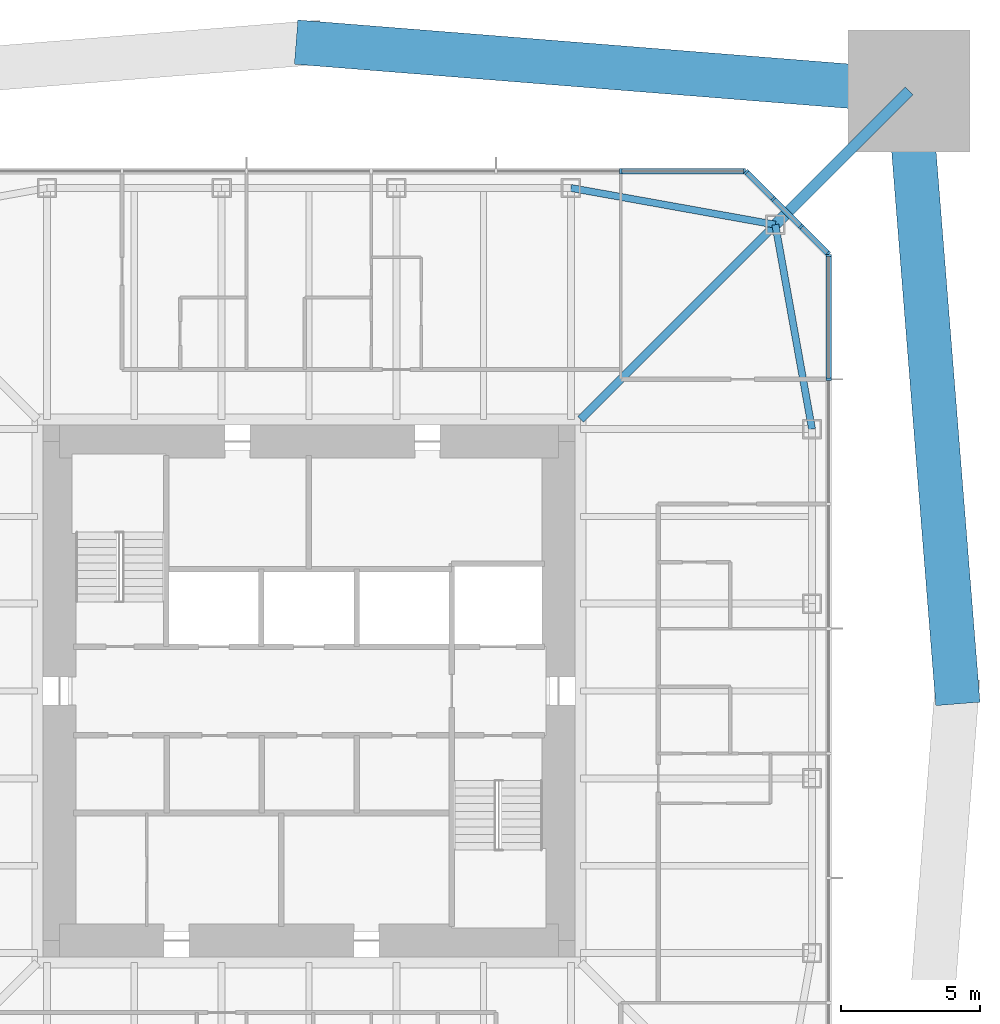
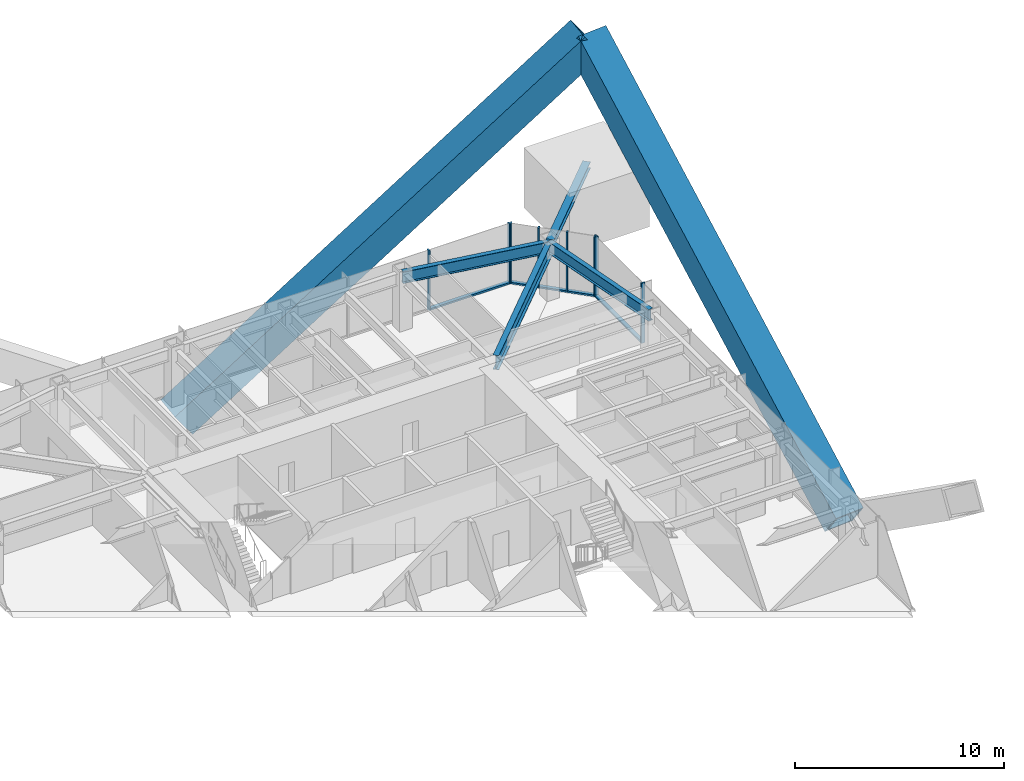
# One storey, part 6 of 13: 16 members, 3 beams, 3 elements without a shape of their own.
"""IFC4 building model written with IfcOpenShell, lengths in metres."""

from ifc_helpers import new_model, si_unit, direction, frame, origin, origin_2d, place, context, subcontext, project, spatial, rectangle, hollow_rectangle, i_section, extrude, material, material_profile, profile_set, type_object, element, aggregate, save


model = new_model("IFC4")

# Units and contexts
model_context = context("Model", 3, precision=1e-05, world=origin(), true_north=direction((0.0, 1.0)))
body_context = subcontext(model_context, "Body", "Model", "MODEL_VIEW")
ifc_project = project(units=[si_unit("LENGTHUNIT", "METRE"), si_unit("AREAUNIT", "SQUARE_METRE"), si_unit("VOLUMEUNIT", "CUBIC_METRE"), si_unit("PLANEANGLEUNIT", "RADIAN"), si_unit("MASSUNIT", "GRAM", prefix="KILO")], contexts=[model_context])

# Site, building, storey
site_placement = place(None, origin())
site = spatial("IfcSite", under=ifc_project, at=site_placement, CompositionType="ELEMENT")
building_placement = place(site_placement, origin())
building = spatial("IfcBuilding", under=site, at=building_placement, Name="Iwan Alto Co-Living Towers", CompositionType="ELEMENT")
storey_placement = place(building_placement, frame((0.0, 0.0, 167.0)))
storey = spatial("IfcBuildingStorey", under=building, at=storey_placement, Name="L45", CompositionType="ELEMENT", Elevation=167.0)

# Curtain wall, members
ifc_material_1 = material(Name="Bronze aluminium unitised frame", Category="aluminium")
curtain_wall_type_1 = type_object("IfcCurtainWallType", Name="CURTAIN WALL CW-A", PredefinedType="NOTDEFINED", material=ifc_material_1)
curtain_wall_1_placement = place(storey_placement, origin())
curtain_wall_1 = element("IfcCurtainWall", 1, at=curtain_wall_1_placement, inside=storey, type_object=curtain_wall_type_1, Name="T1 curtain wall E L45", PredefinedType="NOTDEFINED")
ifc_material_2 = material(Name="Aluminium 6063-T6 bronze anodised", Category="aluminium")
ifc_material_profile_1 = material_profile(ifc_material_2, rectangle(XDim=0.199951171875, YDim=0.080078125, at=origin_2d()), Name="AL 80X200")
ifc_profile_set_1 = profile_set([ifc_material_profile_1], Name="Aluminium 6063-T6 bronze anodised")
member_type_1 = type_object("IfcMemberType", Name="CW-A MULLION 80X200", PredefinedType="MULLION", material=ifc_profile_set_1)
member_1_placement = place(storey_placement, frame((18.75, 11.25, 0.0), z_axis=(0.0, 0.0, 1.0), x_axis=(-1.0, 0.0, 0.0)))
member_1 = element("IfcMember", 2, at=member_1_placement, type_object=member_type_1, Name="CW-A mullion 7", PredefinedType="MULLION", context=body_context, shape_type="SweptSolid", body=[
    extrude(rectangle(XDim=0.199951171875, YDim=0.080078125, at=origin_2d()), origin(), (0.0, 0.0, 1.0), 3.5),
])
member_2_placement = place(storey_placement, frame((18.75, 15.7099609375, 0.0), z_axis=(0.0, 0.0, 1.0), x_axis=(-1.0, 0.0, 0.0)))
member_2 = element("IfcMember", 3, at=member_2_placement, type_object=member_type_1, Name="CW-A mullion 8", PredefinedType="MULLION", context=body_context, shape_type="SweptSolid", body=[
    extrude(rectangle(XDim=0.199951171875, YDim=0.080078125, at=origin_2d()), origin(), (0.0, 0.0, 1.0), 3.5),
])

curtain_wall_2_placement = place(storey_placement, origin())
curtain_wall_2 = element("IfcCurtainWall", 4, at=curtain_wall_2_placement, inside=storey, type_object=curtain_wall_type_1, Name="T1 curtain wall N L45", PredefinedType="NOTDEFINED")
member_3_placement = place(storey_placement, frame((15.7099609375, 18.75, 0.0), z_axis=(0.0, 0.0, 1.0), x_axis=(0.0, -1.0, 0.0)))
member_3 = element("IfcMember", 5, at=member_3_placement, type_object=member_type_1, Name="CW-A mullion 1", PredefinedType="MULLION", context=body_context, shape_type="SweptSolid", body=[
    extrude(rectangle(XDim=0.199951171875, YDim=0.080078125, at=origin_2d()), origin(), (0.0, 0.0, 1.0), 3.5),
])
member_4_placement = place(storey_placement, frame((11.25, 18.75, 0.0), z_axis=(0.0, 0.0, 1.0), x_axis=(0.0, -1.0, 0.0)))
member_4 = element("IfcMember", 6, at=member_4_placement, type_object=member_type_1, Name="CW-A mullion 2", PredefinedType="MULLION", context=body_context, shape_type="SweptSolid", body=[
    extrude(rectangle(XDim=0.199951171875, YDim=0.080078125, at=origin_2d()), origin(), (0.0, 0.0, 1.0), 3.5),
])

# Member
ifc_material_3 = material(Name="Aluminium 6063-T6 bronze anodised", Category="aluminium")
ifc_material_profile_2 = material_profile(ifc_material_3, rectangle(XDim=0.199951171875, YDim=0.10009765625, at=origin_2d()), Name="AL 200X100")
ifc_profile_set_2 = profile_set([ifc_material_profile_2], Name="Aluminium 6063-T6 bronze anodised")
member_type_2 = type_object("IfcMemberType", Name="CW-A TRANSOM 200X100", PredefinedType="USERDEFINED", material=ifc_profile_set_2)
member_5_placement = place(storey_placement, frame((18.75, 11.2900390625, 0.050048828125), z_axis=(0.0, 1.0, 0.0), x_axis=(-1.0, 0.0, 0.0)))
member_5 = element("IfcMember", 7, at=member_5_placement, type_object=member_type_2, Name="CW-A transom 7.1", ObjectType="TRANSOM", PredefinedType="USERDEFINED", context=body_context, shape_type="SweptSolid", body=[
    extrude(rectangle(XDim=0.199951171875, YDim=0.10009765625, at=origin_2d()), origin(), (0.0, 0.0, 1.0), 4.3798828125),
])

aggregate(curtain_wall_1, [member_1, member_2, member_5])

member_6_placement = place(storey_placement, frame((15.669921875, 18.75, 0.050048828125), z_axis=(-1.0, 0.0, 0.0), x_axis=(0.0, -1.0, 0.0)))
member_6 = element("IfcMember", 8, at=member_6_placement, type_object=member_type_2, Name="CW-A transom 1.1", ObjectType="TRANSOM", PredefinedType="USERDEFINED", context=body_context, shape_type="SweptSolid", body=[
    extrude(rectangle(XDim=0.199951171875, YDim=0.10009765625, at=origin_2d()), origin(), (0.0, 0.0, 1.0), 4.3798828125),
])

aggregate(curtain_wall_2, [member_3, member_4, member_6])

# Curtain wall, members
ifc_material_4 = material(Name="Bronze aluminium unitised frame", Category="aluminium")
curtain_wall_type_2 = type_object("IfcCurtainWallType", Name="CURTAIN WALL CW-B", PredefinedType="NOTDEFINED", material=ifc_material_4)
curtain_wall_3_placement = place(storey_placement, origin())
curtain_wall_3 = element("IfcCurtainWall", 9, at=curtain_wall_3_placement, inside=storey, type_object=curtain_wall_type_2, Name="T1 chamfer curtain wall NE L45", PredefinedType="NOTDEFINED")
ifc_material_5 = material(Name="Aluminium 6063-T6 bronze anodised", Category="aluminium")
ifc_material_profile_3 = material_profile(ifc_material_5, rectangle(XDim=0.199951171875, YDim=0.080078125, at=origin_2d()), Name="AL 80X200")
ifc_profile_set_3 = profile_set([ifc_material_profile_3], Name="Aluminium 6063-T6 bronze anodised")
member_type_3 = type_object("IfcMemberType", Name="CW-B MULLION 80X200", PredefinedType="MULLION", material=ifc_profile_set_3)
member_7_placement = place(storey_placement, frame((18.7216796875, 15.7783203125, 0.0), z_axis=(0.0, 0.0, 1.0), x_axis=(-0.707106781187, -0.707106781187, 0.0)))
member_7 = element("IfcMember", 10, at=member_7_placement, type_object=member_type_3, Name="CW-B mullion 1", PredefinedType="MULLION", context=body_context, shape_type="SweptSolid", body=[
    extrude(rectangle(XDim=0.199951171875, YDim=0.080078125, at=origin_2d()), origin(), (0.0, 0.0, 1.0), 3.5),
])
member_8_placement = place(storey_placement, frame((17.75, 16.75, 0.0), z_axis=(0.0, 0.0, 1.0), x_axis=(-0.707106781187, -0.707106781187, 0.0)))
member_8 = element("IfcMember", 11, at=member_8_placement, type_object=member_type_3, Name="CW-B mullion 2", PredefinedType="MULLION", context=body_context, shape_type="SweptSolid", body=[
    extrude(rectangle(XDim=0.199951171875, YDim=0.080078125, at=origin_2d()), origin(), (0.0, 0.0, 1.0), 3.5),
])
member_9_placement = place(storey_placement, frame((16.75, 17.75, 0.0), z_axis=(0.0, 0.0, 1.0), x_axis=(-0.707106781187, -0.707106781187, 0.0)))
member_9 = element("IfcMember", 12, at=member_9_placement, type_object=member_type_3, Name="CW-B mullion 3", PredefinedType="MULLION", context=body_context, shape_type="SweptSolid", body=[
    extrude(rectangle(XDim=0.199951171875, YDim=0.080078125, at=origin_2d()), origin(), (0.0, 0.0, 1.0), 3.5),
])
member_10_placement = place(storey_placement, frame((15.7783203125, 18.7216796875, 0.0), z_axis=(0.0, 0.0, 1.0), x_axis=(-0.707106781187, -0.707106781187, 0.0)))
member_10 = element("IfcMember", 13, at=member_10_placement, type_object=member_type_3, Name="CW-B mullion 4", PredefinedType="MULLION", context=body_context, shape_type="SweptSolid", body=[
    extrude(rectangle(XDim=0.199951171875, YDim=0.080078125, at=origin_2d()), origin(), (0.0, 0.0, 1.0), 3.5),
])
ifc_material_6 = material(Name="Aluminium 6063-T6 bronze anodised", Category="aluminium")
ifc_material_profile_4 = material_profile(ifc_material_6, rectangle(XDim=0.199951171875, YDim=0.10009765625, at=origin_2d()), Name="AL 200X100")
ifc_profile_set_4 = profile_set([ifc_material_profile_4], Name="Aluminium 6063-T6 bronze anodised")
member_type_4 = type_object("IfcMemberType", Name="CW-B TRANSOM 200X100", PredefinedType="USERDEFINED", material=ifc_profile_set_4)
member_11_placement = place(storey_placement, frame((18.693359375, 15.806640625, 0.050048828125), z_axis=(-0.707106781187, 0.707106781187, 0.0), x_axis=(-0.707106781187, -0.707106781187, 0.0)))
member_11 = element("IfcMember", 14, at=member_11_placement, type_object=member_type_4, Name="CW-B transom 1.1", ObjectType="TRANSOM", PredefinedType="USERDEFINED", context=body_context, shape_type="SweptSolid", body=[
    extrude(rectangle(XDim=0.199951171875, YDim=0.10009765625, at=origin_2d()), origin(), (0.0, 0.0, 1.0), 1.2939453125),
])
member_12_placement = place(storey_placement, frame((17.7216796875, 16.7783203125, 0.050048828125), z_axis=(-0.707106781187, 0.707106781187, 0.0), x_axis=(-0.707106781187, -0.707106781187, 0.0)))
member_12 = element("IfcMember", 15, at=member_12_placement, type_object=member_type_4, Name="CW-B transom 2.1", ObjectType="TRANSOM", PredefinedType="USERDEFINED", context=body_context, shape_type="SweptSolid", body=[
    extrude(rectangle(XDim=0.199951171875, YDim=0.10009765625, at=origin_2d()), origin(), (0.0, 0.0, 1.0), 1.334228515625),
])
member_13_placement = place(storey_placement, frame((16.7216796875, 17.7783203125, 0.050048828125), z_axis=(-0.707106781187, 0.707106781187, 0.0), x_axis=(-0.707106781187, -0.707106781187, 0.0)))
member_13 = element("IfcMember", 16, at=member_13_placement, type_object=member_type_4, Name="CW-B transom 3.1", ObjectType="TRANSOM", PredefinedType="USERDEFINED", context=body_context, shape_type="SweptSolid", body=[
    extrude(rectangle(XDim=0.199951171875, YDim=0.10009765625, at=origin_2d()), origin(), (0.0, 0.0, 1.0), 1.2939453125),
])
aggregate(curtain_wall_3, [member_7, member_8, member_9, member_10, member_11, member_12, member_13])

# Beams
ifc_material_7 = material(Name="Steel ASTM A992 Gr 50", Category="steel")
ifc_material_profile_5 = material_profile(ifc_material_7, i_section(OverallWidth=0.2919921875, OverallDepth=0.8408203125, WebThickness=0.0146484375, FlangeThickness=0.021728515625, at=origin_2d()), Name="W33X130")
ifc_profile_set_5 = profile_set([ifc_material_profile_5], Name="Steel ASTM A992 Gr 50")
beam_type_1 = type_object("IfcBeamType", Name="T1 CORNER GIRDER W33X130", PredefinedType="BEAM", material=ifc_profile_set_5)
beam_placement = place(storey_placement, frame((16.82568359375, 16.82568359375, 2.849609375), z_axis=(-0.707106781187, -0.707106781187, 0.0), x_axis=(0.707106781187, -0.707106781187, 0.0)))
element("IfcBeam", 17, at=beam_placement, inside=storey, type_object=beam_type_1, Name="T1 corner girder CNE L46", PredefinedType="BEAM", context=body_context, shape_type="SweptSolid", body=[
    extrude(i_section(OverallWidth=0.2919921875, OverallDepth=0.8408203125, WebThickness=0.0146484375, FlangeThickness=0.021728515625, at=origin_2d()), origin(), (0.0, 0.0, 1.0), 9.936767578125),
])
ifc_material_8 = material(Name="Steel ASTM A992 Gr 50", Category="steel")
ifc_material_profile_6 = material_profile(ifc_material_8, i_section(OverallWidth=0.25390625, OverallDepth=0.683349609375, WebThickness=0.012451171875, FlangeThickness=0.018798828125, at=origin_2d()), Name="W27X94")
ifc_profile_set_6 = profile_set([ifc_material_profile_6], Name="Steel ASTM A992 Gr 50")
beam_type_2 = type_object("IfcBeamType", Name="T1 EDGE BEAM W27X94", PredefinedType="BEAM", material=ifc_profile_set_6)
for number, where, z_axis, x_axis, name in (
    (18, (18.14990234375, 9.449951171875, 2.928466796875), (-0.17671181143, 0.98426263553, 0.0), (-0.98426263553, -0.17671181143, 0.0), "T1 edge beam E4 L46"),
    (19, (16.82568359375, 16.82568359375, 2.928466796875), (-0.98426263553, 0.17671181143, 0.0), (-0.17671181143, -0.98426263553, 0.0), "T1 edge beam CNE L46"),
):
    element("IfcBeam", number, at=place(storey_placement, frame(where, z_axis=z_axis, x_axis=x_axis)), inside=storey, type_object=beam_type_2, Name=name, PredefinedType="BEAM", context=body_context, shape_type="SweptSolid", body=[
        extrude(i_section(OverallWidth=0.25390625, OverallDepth=0.683349609375, WebThickness=0.012451171875, FlangeThickness=0.018798828125, at=origin_2d()), origin(), (0.0, 0.0, 1.0), 7.49365234375),
    ])

# Members
ifc_material_9 = material(Name="Steel ASTM A572 Gr 42", Category="steel")
ifc_material_profile_7 = material_profile(ifc_material_9, hollow_rectangle(XDim=1.60009765625, YDim=1.60009765625, WallThickness=0.1201171875, at=origin_2d()), Name="BOX 1600X1600X120")
ifc_profile_set_7 = profile_set([ifc_material_profile_7], Name="Steel ASTM A572 Gr 42")
member_type_5 = type_object("IfcMemberType", Name="T1 MEGA BRACE BOX 1600X1600X120", PredefinedType="BRACE", material=ifc_profile_set_7)
for number, where, z_axis, x_axis, name in (
    (20, (23.37548828125, 0.0, -5.14501953125), (-0.064467353838, 0.808833616819, 0.584493062913), (-0.996838682712, -0.07945212803, 0.0), "T1 mega brace Z3A E 1 upper"),
    (21, (0.0, 23.37548828125, -5.14501953125), (0.808833616819, -0.064467353838, 0.584493062913), (0.07945212803, 0.996838682712, 0.0), "T1 mega brace Z3A N 2 upper"),
):
    element("IfcMember", number, at=place(storey_placement, frame(where, z_axis=z_axis, x_axis=x_axis)), inside=storey, type_object=member_type_5, Name=name, PredefinedType="BRACE", context=body_context, shape_type="SweptSolid", body=[
        extrude(hollow_rectangle(XDim=1.60009765625, YDim=1.60009765625, WallThickness=0.1201171875, at=origin_2d()), origin(), (0.0, 0.0, 1.0), 26.766845703125),
    ])
ifc_material_10 = material(Name="Steel ASTM A992 Gr 50", Category="steel")
ifc_material_profile_8 = material_profile(ifc_material_10, i_section(OverallWidth=0.393798828125, OverallDepth=0.3759765625, WebThickness=0.017333984375, FlangeThickness=0.027587890625, at=origin_2d()), Name="W14X145")
ifc_profile_set_8 = profile_set([ifc_material_profile_8], Name="Steel ASTM A992 Gr 50")
member_type_6 = type_object("IfcMemberType", Name="T1 MEGA COLUMN FLOOR TIE W14X145", PredefinedType="STRUT", material=ifc_profile_set_8)
member_14_placement = place(storey_placement, frame((21.64990234375, 21.64990234375, 3.08203125), z_axis=(-0.707106781187, -0.707106781187, 0.0), x_axis=(0.707106781187, -0.707106781187, 0.0)))
element("IfcMember", 22, at=member_14_placement, inside=storey, type_object=member_type_6, Name="T1 mega column floor tie NE L46", PredefinedType="STRUT", context=body_context, shape_type="SweptSolid", body=[
    extrude(i_section(OverallWidth=0.393798828125, OverallDepth=0.3759765625, WebThickness=0.017333984375, FlangeThickness=0.027587890625, at=origin_2d()), origin(), (0.0, 0.0, 1.0), 6.822509765625),
])

save(model, "model.ifc")
